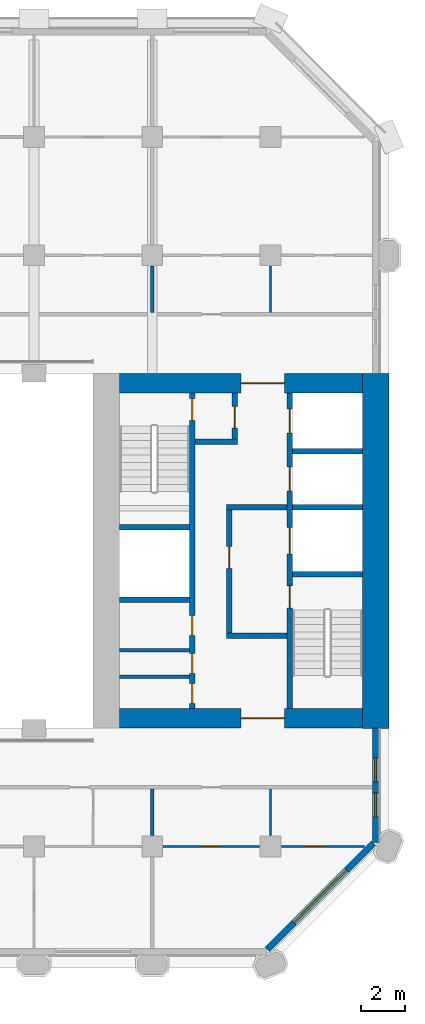
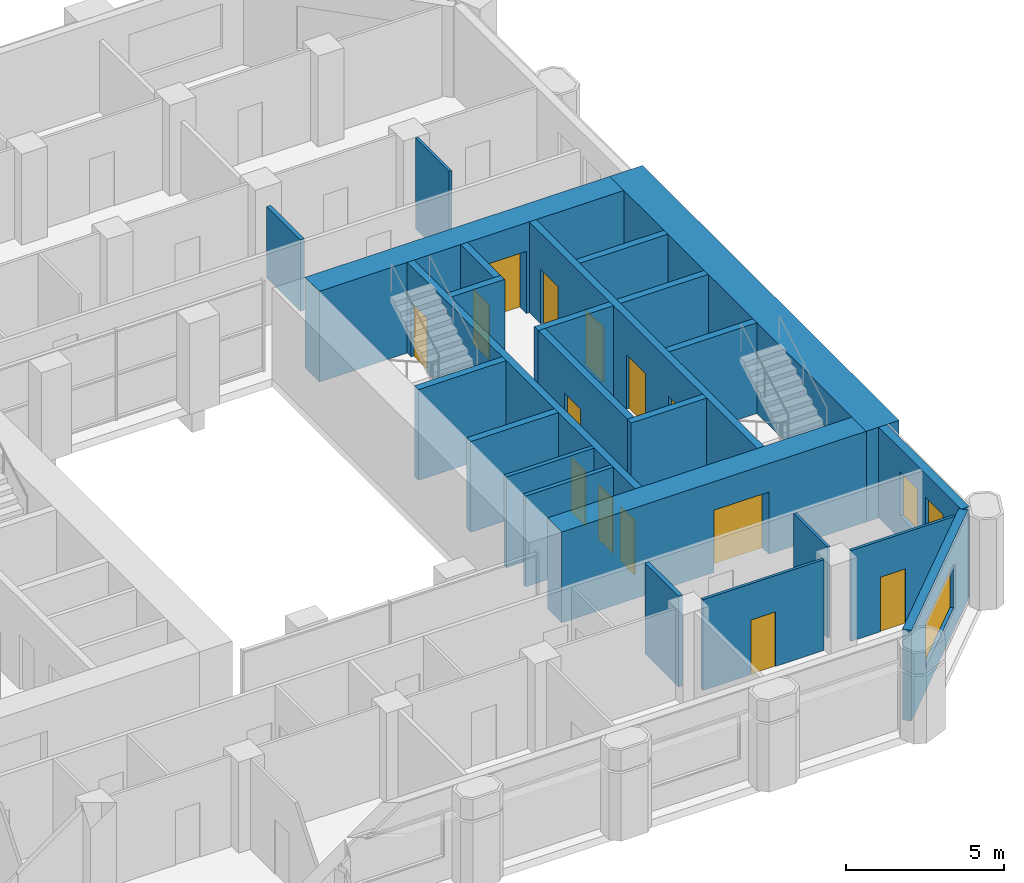
# One storey, part 8 of 13: 25 walls, 14 doors, 3 windows, 17 openings.
"""IFC4 building model written with IfcOpenShell, lengths in metres."""

from ifc_helpers import new_model, si_unit, direction, frame, frame_2d, origin, place, context, subcontext, project, spatial, rectangle, extrude, material, layer, layer_set, type_object, element, fill, save


model = new_model("IFC4")

# Units and contexts
model_context = context("Model", 3, precision=1e-05, world=origin(), true_north=direction((0.0, 1.0)))
body_context = subcontext(model_context, "Body", "Model", "MODEL_VIEW")
ifc_project = project(units=[si_unit("LENGTHUNIT", "METRE"), si_unit("AREAUNIT", "SQUARE_METRE"), si_unit("VOLUMEUNIT", "CUBIC_METRE"), si_unit("PLANEANGLEUNIT", "RADIAN"), si_unit("MASSUNIT", "GRAM", prefix="KILO")], contexts=[model_context])

# Site, building, storey
site_placement = place(None, origin())
site = spatial("IfcSite", under=ifc_project, at=site_placement, CompositionType="ELEMENT")
building_placement = place(site_placement, origin())
building = spatial("IfcBuilding", under=site, at=building_placement, Name="Tabaq Tower and Sports Hall", CompositionType="ELEMENT")
storey_placement = place(building_placement, frame((0.0, 0.0, 118.199951171875)))
storey = spatial("IfcBuildingStorey", under=building, at=storey_placement, Name="L28", CompositionType="ELEMENT", Elevation=118.199951171875)

# Walls
ifc_material_1 = material(Name="Blockwork", Category="masonry")
ifc_layer_1 = layer(ifc_material_1, 0.14990234375)
ifc_layer_set_1 = layer_set([ifc_layer_1], Name="Core room partition 150 Blockwork")
wall_type_1 = type_object("IfcWallType", Name="Core room partition 150 Blockwork", PredefinedType="PARTITIONING", material=ifc_layer_set_1)
for number, where, z_axis, x_axis, name in (
    (1, (30.89990234375, 18.554931640625, 0.0), (0.0, 0.0, 1.0), (1.0, 0.0, 0.0), "Core room partition E L28"),
    (2, (30.89990234375, 19.76708984375, 0.0), (0.0, 0.0, 1.0), (1.0, 0.0, 0.0), "Core room partition E L28"),
):
    element("IfcWall", number, at=place(storey_placement, frame(where, z_axis=z_axis, x_axis=x_axis)), inside=storey, type_object=wall_type_1, Name=name, PredefinedType="PARTITIONING", context=body_context, shape_type="SweptSolid", body=[
        extrude(rectangle(XDim=3.2001953125, YDim=0.14990234375, at=frame_2d((1.60009765625, 0.0))), origin(), (0.0, 0.0, 1.0), 3.5),
    ])
ifc_material_2 = material(Name="Concrete C60/75", Category="concrete")
ifc_layer_2 = layer(ifc_material_2, 1.199951171875)
ifc_layer_set_2 = layer_set([ifc_layer_2], Name="Core wall 1200 Concrete C60/75")
wall_type_2 = type_object("IfcWallType", Name="Core wall 1200 Concrete C60/75", PredefinedType="SOLIDWALL", material=ifc_layer_set_2)
wall_1_placement = place(storey_placement, frame((42.60009765625, 32.39990234375, 0.0), z_axis=(0.0, 0.0, 1.0), x_axis=(0.0, -1.0, 0.0)))
element("IfcWall", 3, at=wall_1_placement, inside=storey, type_object=wall_type_2, Name="Core wall E L28", PredefinedType="SOLIDWALL", context=body_context, shape_type="SweptSolid", body=[
    extrude(rectangle(XDim=16.199951171875, YDim=1.199951171875, at=frame_2d((8.10009765625, 0.0))), origin(), (0.0, 0.0, 1.0), 3.5),
])

# Wall, opening, door
ifc_material_3 = material(Name="Concrete C60/75", Category="concrete")
ifc_layer_3 = layer(ifc_material_3, 0.89990234375)
ifc_layer_set_3 = layer_set([ifc_layer_3], Name="Core wall 900 Concrete C60/75")
wall_type_3 = type_object("IfcWallType", Name="Core wall 900 Concrete C60/75", PredefinedType="SOLIDWALL", material=ifc_layer_set_3)
wall_2_placement = place(storey_placement, frame((42.0, 16.64990234375, 0.0), z_axis=(0.0, 0.0, 1.0), x_axis=(-1.0, 0.0, 0.0)))
wall_2 = element("IfcWall", 4, at=wall_2_placement, inside=storey, type_object=wall_type_3, Name="Core wall E L28", PredefinedType="SOLIDWALL", context=body_context, shape_type="SweptSolid", body=[
    extrude(rectangle(XDim=11.10009765625, YDim=0.89990234375, at=frame_2d((5.550048828125, 0.0))), origin(), (0.0, 0.0, 1.0), 3.5),
])
opening_1_placement = place(wall_2_placement, frame((3.550048828125, 0.0, 0.0)))
opening_1 = element("IfcOpeningElement", 5, at=opening_1_placement, cuts=wall_2, Name="Opening PD-EL28-01", PredefinedType="OPENING", context=body_context, shape_type="SweptSolid", body=[
    extrude(rectangle(XDim=2.0, YDim=2.39990234375, at=frame_2d((1.0, 1.199951171875))), frame((0.0, 0.449951171875, 0.0), z_axis=(0.0, -1.0, 0.0), x_axis=(1.0, 0.0, 0.0)), (0.0, 0.0, 1.0), 0.89990234375),
])
ifc_material_4 = material(Name="Steel fire door", Category="steel")
door_type_1 = type_object("IfcDoorType", Name="Core entrance door 2000", OperationType="DOUBLE_DOOR_SINGLE_SWING", PredefinedType="DOOR", material=ifc_material_4)
door_1_placement = place(opening_1_placement, origin())
door_1 = element("IfcDoor", 6, at=door_1_placement, inside=storey, type_object=door_type_1, Name="Core entrance south E L28", OperationType="DOUBLE_DOOR_SINGLE_SWING", OverallHeight=2.39990234375, OverallWidth=2.0, PredefinedType="DOOR", context=body_context, shape_type="SweptSolid", body=[
    extrude(rectangle(XDim=2.0, YDim=2.39990234375, at=frame_2d((1.0, 1.199951171875))), frame((0.0, 0.02490234375, 0.0), z_axis=(0.0, -1.0, 0.0), x_axis=(1.0, 0.0, 0.0)), (0.0, 0.0, 1.0), 0.050048828125),
])
fill(opening_1, door_1)

wall_3_placement = place(storey_placement, frame((30.89990234375, 31.949951171875, 0.0), z_axis=(0.0, 0.0, 1.0), x_axis=(1.0, 0.0, 0.0)))
wall_3 = element("IfcWall", 7, at=wall_3_placement, inside=storey, type_object=wall_type_3, Name="Core wall E L28", PredefinedType="SOLIDWALL", context=body_context, shape_type="SweptSolid", body=[
    extrude(rectangle(XDim=11.10009765625, YDim=0.89990234375, at=frame_2d((5.550048828125, 0.0))), origin(), (0.0, 0.0, 1.0), 3.5),
])
opening_2_placement = place(wall_3_placement, frame((5.550048828125, 0.0, 0.0)))
opening_2 = element("IfcOpeningElement", 8, at=opening_2_placement, cuts=wall_3, Name="Opening PD-EL28-02", PredefinedType="OPENING", context=body_context, shape_type="SweptSolid", body=[
    extrude(rectangle(XDim=2.0, YDim=2.39990234375, at=frame_2d((1.0, 1.199951171875))), frame((0.0, 0.449951171875, 0.0), z_axis=(0.0, -1.0, 0.0), x_axis=(1.0, 0.0, 0.0)), (0.0, 0.0, 1.0), 0.89990234375),
])
door_2_placement = place(opening_2_placement, origin())
door_2 = element("IfcDoor", 9, at=door_2_placement, inside=storey, type_object=door_type_1, Name="Core entrance north E L28", OperationType="DOUBLE_DOOR_SINGLE_SWING", OverallHeight=2.39990234375, OverallWidth=2.0, PredefinedType="DOOR", context=body_context, shape_type="SweptSolid", body=[
    extrude(rectangle(XDim=2.0, YDim=2.39990234375, at=frame_2d((1.0, 1.199951171875))), frame((0.0, 0.02490234375, 0.0), z_axis=(0.0, -1.0, 0.0), x_axis=(1.0, 0.0, 0.0)), (0.0, 0.0, 1.0), 0.050048828125),
])
fill(opening_2, door_2)

# Wall
ifc_material_5 = material(Name="Gypsum board on steel studs", Category="steel")
ifc_layer_4 = layer(ifc_material_5, 0.10009765625)
ifc_layer_set_4 = layer_set([ifc_layer_4], Name="Partition 100 Gypsum board")
wall_type_4 = type_object("IfcWallType", Name="Partition 100 Gypsum board", PredefinedType="PARTITIONING", material=ifc_layer_set_4)
wall_4_placement = place(storey_placement, frame((37.800048828125, 35.175048828125, 0.0), z_axis=(0.0, 0.0, 1.0), x_axis=(0.0, 1.0, 0.0)))
element("IfcWall", 10, at=wall_4_placement, inside=storey, type_object=wall_type_4, Name="Partition wall L28", PredefinedType="PARTITIONING", context=body_context, shape_type="SweptSolid", body=[
    extrude(rectangle(XDim=2.1298828125, YDim=0.10009765625, at=frame_2d((1.06494140625, 0.0))), origin(), (0.0, 0.0, 1.0), 3.5),
])

# Wall, opening, door
wall_5_placement = place(storey_placement, frame((32.89501953125, 10.800048828125, 0.0), z_axis=(0.0, 0.0, 1.0), x_axis=(1.0, 0.0, 0.0)))
wall_5 = element("IfcWall", 11, at=wall_5_placement, inside=storey, type_object=wall_type_4, Name="Partition wall L28", PredefinedType="PARTITIONING", context=body_context, shape_type="SweptSolid", body=[
    extrude(rectangle(XDim=4.409912109375, YDim=0.10009765625, at=frame_2d((2.205078125, 0.0))), origin(), (0.0, 0.0, 1.0), 3.5),
])
opening_3_placement = place(wall_5_placement, frame((1.7548828125, 0.0, 0.0)))
opening_3 = element("IfcOpeningElement", 12, at=opening_3_placement, cuts=wall_5, Name="Opening L28-032", PredefinedType="OPENING", context=body_context, shape_type="SweptSolid", body=[
    extrude(rectangle(XDim=0.89990234375, YDim=2.10009765625, at=frame_2d((0.449951171875, 1.050048828125))), frame((0.0, 0.050048828125, 0.0), z_axis=(0.0, -1.0, 0.0), x_axis=(1.0, 0.0, 0.0)), (0.0, 0.0, 1.0), 0.10009765625),
])
ifc_material_6 = material(Name="Timber leaf in steel frame", Category="steel")
door_type_2 = type_object("IfcDoorType", Name="Internal door 900 left hand", OperationType="SINGLE_SWING_LEFT", PredefinedType="DOOR", material=ifc_material_6)
door_3_placement = place(opening_3_placement, origin())
door_3 = element("IfcDoor", 13, at=door_3_placement, inside=storey, type_object=door_type_2, Name="Internal door L28-032", OperationType="SINGLE_SWING_LEFT", OverallHeight=2.10009765625, OverallWidth=0.89990234375, PredefinedType="DOOR", context=body_context, shape_type="SweptSolid", body=[
    extrude(rectangle(XDim=0.89990234375, YDim=2.10009765625, at=frame_2d((0.449951171875, 1.050048828125))), frame((0.0, 0.02490234375, 0.0), z_axis=(0.0, -1.0, 0.0), x_axis=(1.0, 0.0, 0.0)), (0.0, 0.0, 1.0), 0.050048828125),
])
fill(opening_3, door_3)

# Wall
wall_6_placement = place(storey_placement, frame((37.800048828125, 11.294921875, 0.0), z_axis=(0.0, 0.0, 1.0), x_axis=(0.0, 1.0, 0.0)))
element("IfcWall", 14, at=wall_6_placement, inside=storey, type_object=wall_type_4, Name="Partition wall L28", PredefinedType="PARTITIONING", context=body_context, shape_type="SweptSolid", body=[
    extrude(rectangle(XDim=2.130126953125, YDim=0.10009765625, at=frame_2d((1.06494140625, 0.0))), origin(), (0.0, 0.0, 1.0), 3.5),
])

# Wall, opening, door
wall_7_placement = place(storey_placement, frame((38.294921875, 10.800048828125, 0.0), z_axis=(0.0, 0.0, 1.0), x_axis=(1.0, 0.0, 0.0)))
wall_7 = element("IfcWall", 15, at=wall_7_placement, inside=storey, type_object=wall_type_4, Name="Partition wall L28", PredefinedType="PARTITIONING", context=body_context, shape_type="SweptSolid", body=[
    extrude(rectangle(XDim=3.79296875, YDim=0.10009765625, at=frame_2d((1.896484375, 0.0))), origin(), (0.0, 0.0, 1.0), 3.5),
])
opening_4_placement = place(wall_7_placement, frame((1.080078125, 0.0, 0.0)))
opening_4 = element("IfcOpeningElement", 16, at=opening_4_placement, cuts=wall_7, Name="Opening L28-023", PredefinedType="OPENING", context=body_context, shape_type="SweptSolid", body=[
    extrude(rectangle(XDim=0.89990234375, YDim=2.10009765625, at=frame_2d((0.449951171875, 1.050048828125))), frame((0.0, 0.050048828125, 0.0), z_axis=(0.0, -1.0, 0.0), x_axis=(1.0, 0.0, 0.0)), (0.0, 0.0, 1.0), 0.10009765625),
])
ifc_material_7 = material(Name="Timber leaf in steel frame", Category="steel")
door_type_3 = type_object("IfcDoorType", Name="Internal door 900 right hand", OperationType="SINGLE_SWING_RIGHT", PredefinedType="DOOR", material=ifc_material_7)
door_4_placement = place(opening_4_placement, origin())
door_4 = element("IfcDoor", 17, at=door_4_placement, inside=storey, type_object=door_type_3, Name="Internal door L28-023", OperationType="SINGLE_SWING_RIGHT", OverallHeight=2.10009765625, OverallWidth=0.89990234375, PredefinedType="DOOR", context=body_context, shape_type="SweptSolid", body=[
    extrude(rectangle(XDim=0.89990234375, YDim=2.10009765625, at=frame_2d((0.449951171875, 1.050048828125))), frame((0.0, 0.02490234375, 0.0), z_axis=(0.0, -1.0, 0.0), x_axis=(1.0, 0.0, 0.0)), (0.0, 0.0, 1.0), 0.050048828125),
])
fill(opening_4, door_4)

# Walls
ifc_material_8 = material(Name="Blockwork", Category="masonry")
ifc_layer_5 = layer(ifc_material_8, 0.14990234375)
ifc_layer_set_5 = layer_set([ifc_layer_5], Name="Separating wall 150 Blockwork")
wall_type_5 = type_object("IfcWallType", Name="Separating wall 150 Blockwork", PredefinedType="PARTITIONING", material=ifc_layer_set_5)
wall_8_placement = place(storey_placement, frame((32.39990234375, 35.175048828125, 0.0), z_axis=(0.0, 0.0, 1.0), x_axis=(0.0, 1.0, 0.0)))
element("IfcWall", 18, at=wall_8_placement, inside=storey, type_object=wall_type_5, Name="Separating wall L28", PredefinedType="PARTITIONING", context=body_context, shape_type="SweptSolid", body=[
    extrude(rectangle(XDim=2.1298828125, YDim=0.14990234375, at=frame_2d((1.06494140625, 0.0))), origin(), (0.0, 0.0, 1.0), 2.75),
])
wall_9_placement = place(storey_placement, frame((32.39990234375, 11.294921875, 0.0), z_axis=(0.0, 0.0, 1.0), x_axis=(0.0, 1.0, 0.0)))
element("IfcWall", 19, at=wall_9_placement, inside=storey, type_object=wall_type_5, Name="Separating wall L28", PredefinedType="PARTITIONING", context=body_context, shape_type="SweptSolid", body=[
    extrude(rectangle(XDim=2.130126953125, YDim=0.14990234375, at=frame_2d((1.06494140625, 0.0))), origin(), (0.0, 0.0, 1.0), 3.5),
])

# Wall, openings, doors
ifc_material_9 = material(Name="Concrete C40/50", Category="concrete")
ifc_layer_6 = layer(ifc_material_9, 0.25)
ifc_layer_set_6 = layer_set([ifc_layer_6], Name="Shaft and stair wall 250 Concrete C40/50")
wall_type_6 = type_object("IfcWallType", Name="Shaft and stair wall 250 Concrete C40/50", PredefinedType="SOLIDWALL", material=ifc_layer_set_6)
wall_10_placement = place(storey_placement, frame((38.675048828125, 17.10009765625, 0.0), z_axis=(0.0, 0.0, 1.0), x_axis=(0.0, 1.0, 0.0)))
wall_10 = element("IfcWall", 20, at=wall_10_placement, inside=storey, type_object=wall_type_6, Name="Shaft wall E L28", PredefinedType="SOLIDWALL", context=body_context, shape_type="SweptSolid", body=[
    extrude(rectangle(XDim=14.39990234375, YDim=0.25, at=frame_2d((7.199951171875, 0.0))), origin(), (0.0, 0.0, 1.0), 3.5),
])
opening_5_placement = place(wall_10_placement, frame((4.60009765625, 0.0, 0.0)))
opening_5 = element("IfcOpeningElement", 21, at=opening_5_placement, cuts=wall_10, Name="Opening SD-EL28-03", PredefinedType="OPENING", context=body_context, shape_type="SweptSolid", body=[
    extrude(rectangle(XDim=1.0, YDim=2.10009765625, at=frame_2d((0.5, 1.050048828125))), frame((0.0, 0.125, 0.0), z_axis=(0.0, -1.0, 0.0), x_axis=(1.0, 0.0, 0.0)), (0.0, 0.0, 1.0), 0.25),
])
opening_6_placement = place(wall_10_placement, frame((7.0625, 0.0, 0.0)))
opening_6 = element("IfcOpeningElement", 22, at=opening_6_placement, cuts=wall_10, Name="Opening LD-FF2-L28", PredefinedType="OPENING", context=body_context, shape_type="SweptSolid", body=[
    extrude(rectangle(XDim=1.199951171875, YDim=2.10009765625, at=frame_2d((0.60009765625, 1.050048828125))), frame((0.0, 0.125, 0.0), z_axis=(0.0, -1.0, 0.0), x_axis=(1.0, 0.0, 0.0)), (0.0, 0.0, 1.0), 0.25),
])
opening_7_placement = place(wall_10_placement, frame((9.925048828125, 0.0, 0.0)))
opening_7 = element("IfcOpeningElement", 23, at=opening_7_placement, cuts=wall_10, Name="Opening LD-LR3-L28", PredefinedType="OPENING", context=body_context, shape_type="SweptSolid", body=[
    extrude(rectangle(XDim=1.10009765625, YDim=2.10009765625, at=frame_2d((0.550048828125, 1.050048828125))), frame((0.0, 0.125, 0.0), z_axis=(0.0, -1.0, 0.0), x_axis=(1.0, 0.0, 0.0)), (0.0, 0.0, 1.0), 0.25),
])
opening_8_placement = place(wall_10_placement, frame((12.58740234375, 0.0, 0.0)))
opening_8 = element("IfcOpeningElement", 24, at=opening_8_placement, cuts=wall_10, Name="Opening LD-LR4-L28", PredefinedType="OPENING", context=body_context, shape_type="SweptSolid", body=[
    extrude(rectangle(XDim=1.10009765625, YDim=2.10009765625, at=frame_2d((0.550048828125, 1.050048828125))), frame((0.0, 0.125, 0.0), z_axis=(0.0, -1.0, 0.0), x_axis=(1.0, 0.0, 0.0)), (0.0, 0.0, 1.0), 0.25),
])
ifc_material_10 = material(Name="Stainless steel", Category="steel")
door_type_4 = type_object("IfcDoorType", Name="Lift landing door 1100", OperationType="DOUBLE_DOOR_SLIDING", PredefinedType="DOOR", material=ifc_material_10)
door_5_placement = place(opening_7_placement, origin())
door_5 = element("IfcDoor", 25, at=door_5_placement, inside=storey, type_object=door_type_4, Name="Lift landing door LR3 E L28", OperationType="DOUBLE_DOOR_SLIDING", OverallHeight=2.10009765625, OverallWidth=1.10009765625, PredefinedType="DOOR", context=body_context, shape_type="SweptSolid", body=[
    extrude(rectangle(XDim=1.10009765625, YDim=2.10009765625, at=frame_2d((0.550048828125, 1.050048828125))), frame((0.0, 0.02490234375, 0.0), z_axis=(0.0, -1.0, 0.0), x_axis=(1.0, 0.0, 0.0)), (0.0, 0.0, 1.0), 0.050048828125),
])
fill(opening_7, door_5)
door_6_placement = place(opening_8_placement, origin())
door_6 = element("IfcDoor", 26, at=door_6_placement, inside=storey, type_object=door_type_4, Name="Lift landing door LR4 E L28", OperationType="DOUBLE_DOOR_SLIDING", OverallHeight=2.10009765625, OverallWidth=1.10009765625, PredefinedType="DOOR", context=body_context, shape_type="SweptSolid", body=[
    extrude(rectangle(XDim=1.10009765625, YDim=2.10009765625, at=frame_2d((0.550048828125, 1.050048828125))), frame((0.0, 0.02490234375, 0.0), z_axis=(0.0, -1.0, 0.0), x_axis=(1.0, 0.0, 0.0)), (0.0, 0.0, 1.0), 0.050048828125),
])
fill(opening_8, door_6)
ifc_material_11 = material(Name="Stainless steel", Category="steel")
door_type_5 = type_object("IfcDoorType", Name="Lift landing door 1200", OperationType="DOUBLE_DOOR_SLIDING", PredefinedType="DOOR", material=ifc_material_11)
door_7_placement = place(opening_6_placement, origin())
door_7 = element("IfcDoor", 27, at=door_7_placement, inside=storey, type_object=door_type_5, Name="Lift landing door FF2 E L28", OperationType="DOUBLE_DOOR_SLIDING", OverallHeight=2.10009765625, OverallWidth=1.199951171875, PredefinedType="DOOR", context=body_context, shape_type="SweptSolid", body=[
    extrude(rectangle(XDim=1.199951171875, YDim=2.10009765625, at=frame_2d((0.60009765625, 1.050048828125))), frame((0.0, 0.02490234375, 0.0), z_axis=(0.0, -1.0, 0.0), x_axis=(1.0, 0.0, 0.0)), (0.0, 0.0, 1.0), 0.050048828125),
])
fill(opening_6, door_7)
ifc_material_12 = material(Name="Steel fire door", Category="steel")
door_type_6 = type_object("IfcDoorType", Name="Stair door 1000", OperationType="SINGLE_SWING_LEFT", PredefinedType="DOOR", material=ifc_material_12)
door_8_placement = place(opening_5_placement, origin())
door_8 = element("IfcDoor", 28, at=door_8_placement, inside=storey, type_object=door_type_6, Name="Stair door ST3 E L28", OperationType="SINGLE_SWING_LEFT", OverallHeight=2.10009765625, OverallWidth=1.0, PredefinedType="DOOR", context=body_context, shape_type="SweptSolid", body=[
    extrude(rectangle(XDim=1.0, YDim=2.10009765625, at=frame_2d((0.5, 1.050048828125))), frame((0.0, 0.02490234375, 0.0), z_axis=(0.0, -1.0, 0.0), x_axis=(1.0, 0.0, 0.0)), (0.0, 0.0, 1.0), 0.050048828125),
])
fill(opening_5, door_8)

wall_11_placement = place(storey_placement, frame((34.22509765625, 17.10009765625, 0.0), z_axis=(0.0, 0.0, 1.0), x_axis=(0.0, 1.0, 0.0)))
wall_11 = element("IfcWall", 29, at=wall_11_placement, inside=storey, type_object=wall_type_6, Name="Shaft wall E L28", PredefinedType="SOLIDWALL", context=body_context, shape_type="SweptSolid", body=[
    extrude(rectangle(XDim=14.39990234375, YDim=0.25, at=frame_2d((7.199951171875, 0.0))), origin(), (0.0, 0.0, 1.0), 3.5),
])
opening_9_placement = place(wall_11_placement, frame((13.14990234375, 0.0, 0.0)))
opening_9 = element("IfcOpeningElement", 30, at=opening_9_placement, cuts=wall_11, Name="Opening SD-EL28-05", PredefinedType="OPENING", context=body_context, shape_type="SweptSolid", body=[
    extrude(rectangle(XDim=1.0, YDim=2.10009765625, at=frame_2d((0.5, 1.050048828125))), frame((0.0, 0.125, 0.0), z_axis=(0.0, -1.0, 0.0), x_axis=(1.0, 0.0, 0.0)), (0.0, 0.0, 1.0), 0.25),
])
opening_10_placement = place(wall_11_placement, frame((0.239990234375, 0.0, 0.0)))
opening_10 = element("IfcOpeningElement", 31, at=opening_10_placement, cuts=wall_11, Name="Opening RD-EL28-10", PredefinedType="OPENING", context=body_context, shape_type="SweptSolid", body=[
    extrude(rectangle(XDim=0.89990234375, YDim=2.10009765625, at=frame_2d((0.449951171875, 1.050048828125))), frame((0.0, 0.125, 0.0), z_axis=(0.0, -1.0, 0.0), x_axis=(1.0, 0.0, 0.0)), (0.0, 0.0, 1.0), 0.25),
])
opening_11_placement = place(wall_11_placement, frame((1.611083984375, 0.0, 0.0)))
opening_11 = element("IfcOpeningElement", 32, at=opening_11_placement, cuts=wall_11, Name="Opening RD-EL28-11", PredefinedType="OPENING", context=body_context, shape_type="SweptSolid", body=[
    extrude(rectangle(XDim=0.89990234375, YDim=2.10009765625, at=frame_2d((0.449951171875, 1.050048828125))), frame((0.0, 0.125, 0.0), z_axis=(0.0, -1.0, 0.0), x_axis=(1.0, 0.0, 0.0)), (0.0, 0.0, 1.0), 0.25),
])
opening_12_placement = place(wall_11_placement, frame((3.345947265625, 0.0, 0.0)))
opening_12 = element("IfcOpeningElement", 33, at=opening_12_placement, cuts=wall_11, Name="Opening RD-EL28-12", PredefinedType="OPENING", context=body_context, shape_type="SweptSolid", body=[
    extrude(rectangle(XDim=0.89990234375, YDim=2.10009765625, at=frame_2d((0.449951171875, 1.050048828125))), frame((0.0, 0.125, 0.0), z_axis=(0.0, -1.0, 0.0), x_axis=(1.0, 0.0, 0.0)), (0.0, 0.0, 1.0), 0.25),
])
ifc_material_13 = material(Name="Steel fire door", Category="steel")
door_type_7 = type_object("IfcDoorType", Name="Core room door 900", OperationType="SINGLE_SWING_LEFT", PredefinedType="DOOR", material=ifc_material_13)
door_9_placement = place(opening_10_placement, origin())
door_9 = element("IfcDoor", 34, at=door_9_placement, inside=storey, type_object=door_type_7, Name="Door Accessible WC E L28", OperationType="SINGLE_SWING_LEFT", OverallHeight=2.10009765625, OverallWidth=0.89990234375, PredefinedType="DOOR", context=body_context, shape_type="SweptSolid", body=[
    extrude(rectangle(XDim=0.89990234375, YDim=2.10009765625, at=frame_2d((0.449951171875, 1.050048828125))), frame((0.0, 0.02490234375, 0.0), z_axis=(0.0, -1.0, 0.0), x_axis=(1.0, 0.0, 0.0)), (0.0, 0.0, 1.0), 0.050048828125),
])
fill(opening_10, door_9)
door_10_placement = place(opening_11_placement, origin())
door_10 = element("IfcDoor", 35, at=door_10_placement, inside=storey, type_object=door_type_7, Name="Door Electrical Riser Room E L28", OperationType="SINGLE_SWING_LEFT", OverallHeight=2.10009765625, OverallWidth=0.89990234375, PredefinedType="DOOR", context=body_context, shape_type="SweptSolid", body=[
    extrude(rectangle(XDim=0.89990234375, YDim=2.10009765625, at=frame_2d((0.449951171875, 1.050048828125))), frame((0.0, 0.02490234375, 0.0), z_axis=(0.0, -1.0, 0.0), x_axis=(1.0, 0.0, 0.0)), (0.0, 0.0, 1.0), 0.050048828125),
])
fill(opening_11, door_10)
door_11_placement = place(opening_12_placement, origin())
door_11 = element("IfcDoor", 36, at=door_11_placement, inside=storey, type_object=door_type_7, Name="Door Unisex WC E L28", OperationType="SINGLE_SWING_LEFT", OverallHeight=2.10009765625, OverallWidth=0.89990234375, PredefinedType="DOOR", context=body_context, shape_type="SweptSolid", body=[
    extrude(rectangle(XDim=0.89990234375, YDim=2.10009765625, at=frame_2d((0.449951171875, 1.050048828125))), frame((0.0, 0.02490234375, 0.0), z_axis=(0.0, -1.0, 0.0), x_axis=(1.0, 0.0, 0.0)), (0.0, 0.0, 1.0), 0.050048828125),
])
fill(opening_12, door_11)
door_12_placement = place(opening_9_placement, origin())
door_12 = element("IfcDoor", 37, at=door_12_placement, inside=storey, type_object=door_type_6, Name="Stair door ST4 E L28", OperationType="SINGLE_SWING_LEFT", OverallHeight=2.10009765625, OverallWidth=1.0, PredefinedType="DOOR", context=body_context, shape_type="SweptSolid", body=[
    extrude(rectangle(XDim=1.0, YDim=2.10009765625, at=frame_2d((0.5, 1.050048828125))), frame((0.0, 0.02490234375, 0.0), z_axis=(0.0, -1.0, 0.0), x_axis=(1.0, 0.0, 0.0)), (0.0, 0.0, 1.0), 0.050048828125),
])
fill(opening_9, door_12)

# Walls
wall_12_placement = place(storey_placement, frame((38.800048828125, 23.22509765625, 0.0), z_axis=(0.0, 0.0, 1.0), x_axis=(1.0, 0.0, 0.0)))
element("IfcWall", 38, at=wall_12_placement, inside=storey, type_object=wall_type_6, Name="Stair enclosure wall E L28", PredefinedType="SOLIDWALL", context=body_context, shape_type="SweptSolid", body=[
    extrude(rectangle(XDim=3.199951171875, YDim=0.25, at=frame_2d((1.60009765625, 0.0))), origin(), (0.0, 0.0, 1.0), 3.5),
])
for number, where, z_axis, x_axis, name in (
    (39, (30.89990234375, 25.375, 0.0), (0.0, 0.0, 1.0), (1.0, 0.0, 0.0), "Stair enclosure wall E L28"),
    (40, (30.89990234375, 22.074951171875, 0.0), (0.0, 0.0, 1.0), (1.0, 0.0, 0.0), "Shaft wall E L28"),
):
    element("IfcWall", number, at=place(storey_placement, frame(where, z_axis=z_axis, x_axis=x_axis)), inside=storey, type_object=wall_type_6, Name=name, PredefinedType="SOLIDWALL", context=body_context, shape_type="SweptSolid", body=[
        extrude(rectangle(XDim=3.2001953125, YDim=0.25, at=frame_2d((1.60009765625, 0.0))), origin(), (0.0, 0.0, 1.0), 3.5),
    ])
wall_13_placement = place(storey_placement, frame((38.800048828125, 26.300048828125, 0.0), z_axis=(0.0, 0.0, 1.0), x_axis=(1.0, 0.0, 0.0)))
element("IfcWall", 41, at=wall_13_placement, inside=storey, type_object=wall_type_6, Name="Shaft wall E L28", PredefinedType="SOLIDWALL", context=body_context, shape_type="SweptSolid", body=[
    extrude(rectangle(XDim=3.199951171875, YDim=0.25, at=frame_2d((1.60009765625, 0.0))), origin(), (0.0, 0.0, 1.0), 3.5),
])
for number, where, z_axis, x_axis, name in (
    (42, (35.800048828125, 26.300048828125, 0.0), (0.0, 0.0, 1.0), (1.0, 0.0, 0.0), "Fire-fighting lobby wall E L28"),
    (43, (35.800048828125, 20.425048828125, 0.0), (0.0, 0.0, 1.0), (1.0, 0.0, 0.0), "Fire-fighting lobby wall E L28"),
):
    element("IfcWall", number, at=place(storey_placement, frame(where, z_axis=z_axis, x_axis=x_axis)), inside=storey, type_object=wall_type_6, Name=name, PredefinedType="SOLIDWALL", context=body_context, shape_type="SweptSolid", body=[
        extrude(rectangle(XDim=2.75, YDim=0.25, at=frame_2d((1.375, 0.0))), origin(), (0.0, 0.0, 1.0), 3.5),
    ])

# Wall, opening, door
wall_14_placement = place(storey_placement, frame((36.175048828125, 29.39990234375, 0.0), z_axis=(0.0, 0.0, 1.0), x_axis=(0.0, 1.0, 0.0)))
wall_14 = element("IfcWall", 44, at=wall_14_placement, inside=storey, type_object=wall_type_6, Name="Fire-fighting lobby wall E L28", PredefinedType="SOLIDWALL", context=body_context, shape_type="SweptSolid", body=[
    extrude(rectangle(XDim=2.10009765625, YDim=0.25, at=frame_2d((1.050048828125, 0.0))), origin(), (0.0, 0.0, 1.0), 3.5),
])
opening_13_placement = place(wall_14_placement, frame((0.5, 0.0, 0.0)))
opening_13 = element("IfcOpeningElement", 45, at=opening_13_placement, cuts=wall_14, Name="Opening FD-EL28-06", PredefinedType="OPENING", context=body_context, shape_type="SweptSolid", body=[
    extrude(rectangle(XDim=1.0, YDim=2.10009765625, at=frame_2d((0.5, 1.050048828125))), frame((0.0, 0.125, 0.0), z_axis=(0.0, -1.0, 0.0), x_axis=(1.0, 0.0, 0.0)), (0.0, 0.0, 1.0), 0.25),
])
ifc_material_14 = material(Name="Steel fire door", Category="steel")
door_type_8 = type_object("IfcDoorType", Name="Fire-fighting lobby door 1000", OperationType="SINGLE_SWING_LEFT", PredefinedType="DOOR", material=ifc_material_14)
door_13_placement = place(opening_13_placement, origin())
door_13 = element("IfcDoor", 46, at=door_13_placement, inside=storey, type_object=door_type_8, Name="Stair lobby door E L28", OperationType="SINGLE_SWING_LEFT", OverallHeight=2.10009765625, OverallWidth=1.0, PredefinedType="DOOR", context=body_context, shape_type="SweptSolid", body=[
    extrude(rectangle(XDim=1.0, YDim=2.10009765625, at=frame_2d((0.5, 1.050048828125))), frame((0.0, 0.02490234375, 0.0), z_axis=(0.0, -1.0, 0.0), x_axis=(1.0, 0.0, 0.0)), (0.0, 0.0, 1.0), 0.050048828125),
])
fill(opening_13, door_13)

# Wall
wall_15_placement = place(storey_placement, frame((34.35009765625, 29.27490234375, 0.0), z_axis=(0.0, 0.0, 1.0), x_axis=(1.0, 0.0, 0.0)))
element("IfcWall", 47, at=wall_15_placement, inside=storey, type_object=wall_type_6, Name="Fire-fighting lobby wall E L28", PredefinedType="SOLIDWALL", context=body_context, shape_type="SweptSolid", body=[
    extrude(rectangle(XDim=1.949951171875, YDim=0.25, at=frame_2d((0.97509765625, 0.0))), origin(), (0.0, 0.0, 1.0), 3.5),
])

# Wall, opening, door
wall_16_placement = place(storey_placement, frame((35.925048828125, 20.550048828125, 0.0), z_axis=(0.0, 0.0, 1.0), x_axis=(0.0, 1.0, 0.0)))
wall_16 = element("IfcWall", 48, at=wall_16_placement, inside=storey, type_object=wall_type_6, Name="Fire-fighting lobby wall E L28", PredefinedType="SOLIDWALL", context=body_context, shape_type="SweptSolid", body=[
    extrude(rectangle(XDim=5.625, YDim=0.25, at=frame_2d((2.8125, 0.0))), origin(), (0.0, 0.0, 1.0), 3.5),
])
opening_14_placement = place(wall_16_placement, frame((2.949951171875, 0.0, 0.0)))
opening_14 = element("IfcOpeningElement", 49, at=opening_14_placement, cuts=wall_16, Name="Opening FD-EL28-04", PredefinedType="OPENING", context=body_context, shape_type="SweptSolid", body=[
    extrude(rectangle(XDim=1.0, YDim=2.10009765625, at=frame_2d((0.5, 1.050048828125))), frame((0.0, 0.125, 0.0), z_axis=(0.0, -1.0, 0.0), x_axis=(1.0, 0.0, 0.0)), (0.0, 0.0, 1.0), 0.25),
])
door_14_placement = place(opening_14_placement, origin())
door_14 = element("IfcDoor", 50, at=door_14_placement, inside=storey, type_object=door_type_8, Name="Fire-fighting lobby door E L28", OperationType="SINGLE_SWING_LEFT", OverallHeight=2.10009765625, OverallWidth=1.0, PredefinedType="DOOR", context=body_context, shape_type="SweptSolid", body=[
    extrude(rectangle(XDim=1.0, YDim=2.10009765625, at=frame_2d((0.5, 1.050048828125))), frame((0.0, 0.02490234375, 0.0), z_axis=(0.0, -1.0, 0.0), x_axis=(1.0, 0.0, 0.0)), (0.0, 0.0, 1.0), 0.050048828125),
])
fill(opening_14, door_14)

# Wall
wall_17_placement = place(storey_placement, frame((38.800048828125, 28.85009765625, 0.0), z_axis=(0.0, 0.0, 1.0), x_axis=(1.0, 0.0, 0.0)))
element("IfcWall", 51, at=wall_17_placement, inside=storey, type_object=wall_type_6, Name="Shaft wall E L28", PredefinedType="SOLIDWALL", context=body_context, shape_type="SweptSolid", body=[
    extrude(rectangle(XDim=3.199951171875, YDim=0.25, at=frame_2d((1.60009765625, 0.0))), origin(), (0.0, 0.0, 1.0), 3.5),
])

# Wall, opening, window
ifc_material_15 = material(Name="White precast concrete C60/75", Category="concrete")
ifc_layer_7 = layer(ifc_material_15, 0.300048828125)
ifc_layer_set_7 = layer_set([ifc_layer_7], Name="White precast concrete C60/75 external wall 300")
wall_type_7 = type_object("IfcWallType", Name="White precast concrete C60/75 external wall 300", PredefinedType="SOLIDWALL", material=ifc_layer_set_7)
wall_18_placement = place(storey_placement, frame((37.650390625, 6.098876953125, 0.0), z_axis=(0.0, 0.0, 1.0), x_axis=(0.707106781187, 0.707106781187, 0.0)))
wall_18 = element("IfcWall", 52, at=wall_18_placement, inside=storey, type_object=wall_type_7, Name="External Wall L28 SE", PredefinedType="SOLIDWALL", context=body_context, shape_type="SweptSolid", body=[
    extrude(rectangle(XDim=6.85986328125, YDim=0.300048828125, at=frame_2d((3.429931640625, 0.0))), origin(), (0.0, 0.0, 1.0), 3.5),
])
opening_15_placement = place(wall_18_placement, frame((1.729736328125, 0.0, 0.89990234375)))
opening_15 = element("IfcOpeningElement", 53, at=opening_15_placement, cuts=wall_18, Name="Opening W1A", PredefinedType="OPENING", context=body_context, shape_type="SweptSolid", body=[
    extrude(rectangle(XDim=3.39990234375, YDim=1.699951171875, at=frame_2d((1.699951171875, 0.85009765625))), frame((0.0, 0.16015625, 0.0), z_axis=(0.0, -1.0, 0.0), x_axis=(1.0, 0.0, 0.0)), (0.0, 0.0, 1.0), 0.320068359375),
])
ifc_material_16 = material(Name="Aluminium framed clear glazing", Category="aluminium")
window_type_1 = type_object("IfcWindowType", Name="Window W1A", PartitioningType="SINGLE_PANEL", PredefinedType="WINDOW", material=ifc_material_16)
window_1_placement = place(opening_15_placement, origin())
window_1 = element("IfcWindow", 54, at=window_1_placement, inside=storey, type_object=window_type_1, Name="Window W1A L28", OverallHeight=1.699951171875, OverallWidth=3.39990234375, PartitioningType="SINGLE_PANEL", PredefinedType="WINDOW", context=body_context, shape_type="SweptSolid", body=[
    extrude(rectangle(XDim=3.39990234375, YDim=1.699951171875, at=frame_2d((1.699951171875, 0.85009765625))), frame((0.0, 0.030029296875, 0.0), z_axis=(0.0, -1.0, 0.0), x_axis=(1.0, 0.0, 0.0)), (0.0, 0.0, 1.0), 0.06005859375),
])
fill(opening_15, window_1)

# Wall, openings, windows
wall_19_placement = place(storey_placement, frame((42.60009765625, 10.986328125, 0.0), z_axis=(0.0, 0.0, 1.0), x_axis=(0.0, 1.0, 0.0)))
wall_19 = element("IfcWall", 55, at=wall_19_placement, inside=storey, type_object=wall_type_7, Name="External Wall L28 E", PredefinedType="SOLIDWALL", context=body_context, shape_type="SweptSolid", body=[
    extrude(rectangle(XDim=5.213623046875, YDim=0.300048828125, at=frame_2d((2.60693359375, 0.0))), origin(), (0.0, 0.0, 1.0), 3.5),
])
opening_16_placement = place(wall_19_placement, frame((1.16357421875, 0.0, 0.89990234375)))
opening_16 = element("IfcOpeningElement", 56, at=opening_16_placement, cuts=wall_19, Name="Opening W1B", PredefinedType="OPENING", context=body_context, shape_type="SweptSolid", body=[
    extrude(rectangle(XDim=1.10009765625, YDim=1.699951171875, at=frame_2d((0.550048828125, 0.85009765625))), frame((0.0, 0.16015625, 0.0), z_axis=(0.0, -1.0, 0.0), x_axis=(1.0, 0.0, 0.0)), (0.0, 0.0, 1.0), 0.320068359375),
])
opening_17_placement = place(wall_19_placement, frame((2.763671875, 0.0, 0.89990234375)))
opening_17 = element("IfcOpeningElement", 57, at=opening_17_placement, cuts=wall_19, Name="Opening W1B", PredefinedType="OPENING", context=body_context, shape_type="SweptSolid", body=[
    extrude(rectangle(XDim=1.10009765625, YDim=1.699951171875, at=frame_2d((0.550048828125, 0.85009765625))), frame((0.0, 0.16015625, 0.0), z_axis=(0.0, -1.0, 0.0), x_axis=(1.0, 0.0, 0.0)), (0.0, 0.0, 1.0), 0.320068359375),
])
ifc_material_17 = material(Name="Aluminium framed clear glazing", Category="aluminium")
window_type_2 = type_object("IfcWindowType", Name="Window W1B", PartitioningType="SINGLE_PANEL", PredefinedType="WINDOW", material=ifc_material_17)
window_2_placement = place(opening_16_placement, origin())
window_2 = element("IfcWindow", 58, at=window_2_placement, inside=storey, type_object=window_type_2, Name="Window W1B L28", OverallHeight=1.699951171875, OverallWidth=1.10009765625, PartitioningType="SINGLE_PANEL", PredefinedType="WINDOW", context=body_context, shape_type="SweptSolid", body=[
    extrude(rectangle(XDim=1.10009765625, YDim=1.699951171875, at=frame_2d((0.550048828125, 0.85009765625))), frame((0.0, 0.030029296875, 0.0), z_axis=(0.0, -1.0, 0.0), x_axis=(1.0, 0.0, 0.0)), (0.0, 0.0, 1.0), 0.06005859375),
])
fill(opening_16, window_2)
window_3_placement = place(opening_17_placement, origin())
window_3 = element("IfcWindow", 59, at=window_3_placement, inside=storey, type_object=window_type_2, Name="Window W1B L28", OverallHeight=1.699951171875, OverallWidth=1.10009765625, PartitioningType="SINGLE_PANEL", PredefinedType="WINDOW", context=body_context, shape_type="SweptSolid", body=[
    extrude(rectangle(XDim=1.10009765625, YDim=1.699951171875, at=frame_2d((0.550048828125, 0.85009765625))), frame((0.0, 0.030029296875, 0.0), z_axis=(0.0, -1.0, 0.0), x_axis=(1.0, 0.0, 0.0)), (0.0, 0.0, 1.0), 0.06005859375),
])
fill(opening_17, window_3)

save(model, "model.ifc")
